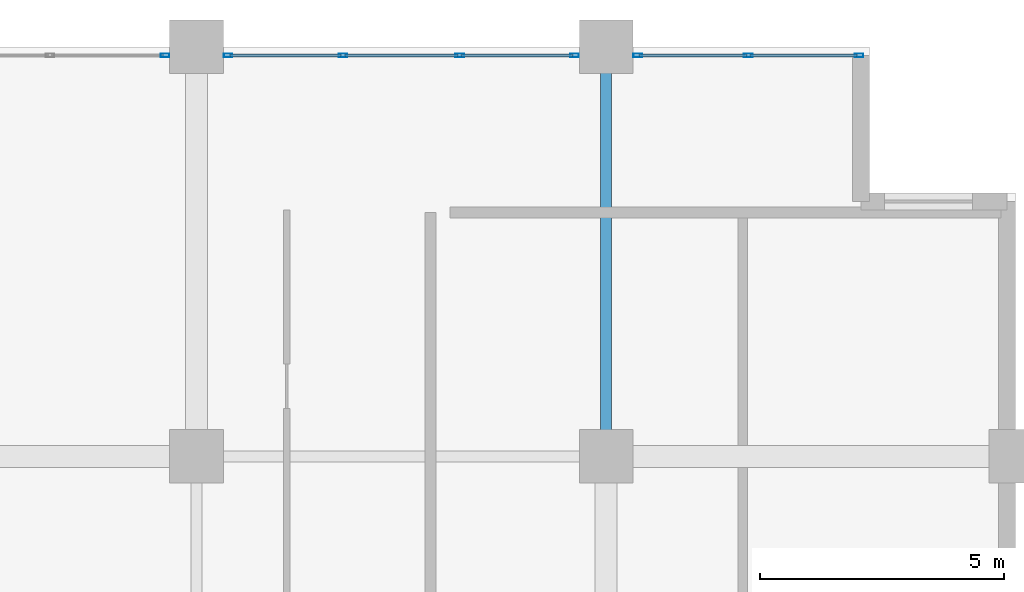
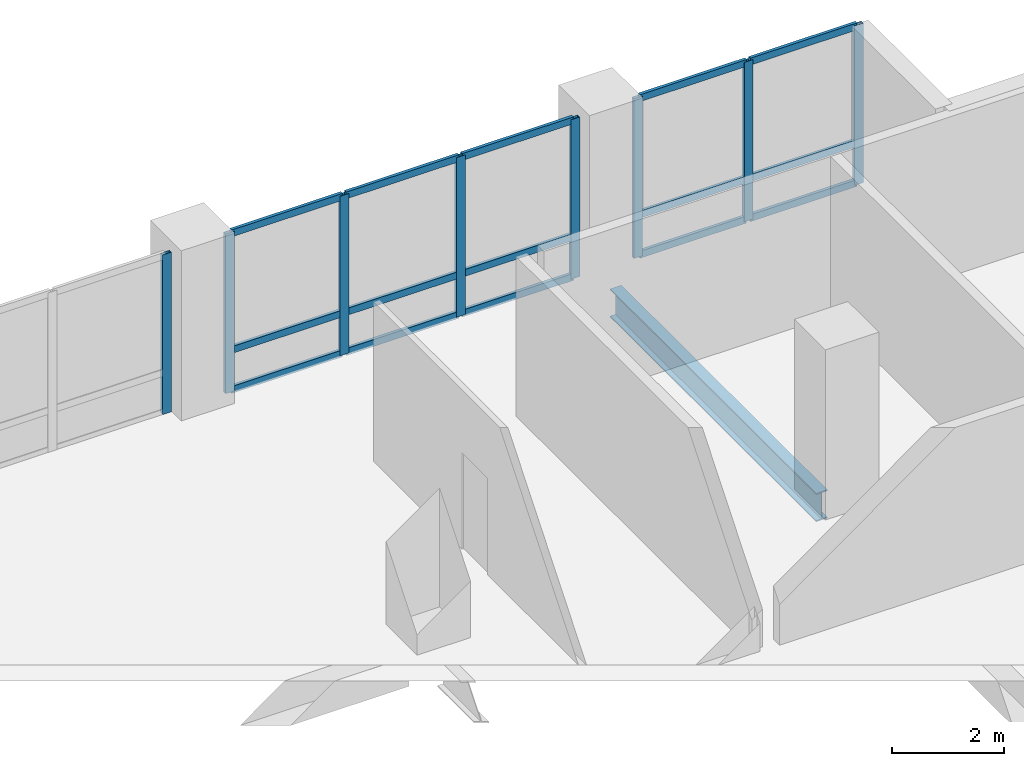
# One storey, part 5 of 18: 23 members, 1 beam, 3 elements without a shape of their own.
"""IFC4 building model written with IfcOpenShell, lengths in metres."""

from ifc_helpers import new_model, si_unit, direction, frame, origin, origin_2d, place, context, subcontext, project, spatial, hollow_rectangle, i_section, extrude, material, layer, layer_set, material_profile, profile_set, type_object, element, aggregate, save


model = new_model("IFC4")

# Units and contexts
model_context = context("Model", 3, precision=1e-05, world=origin(), true_north=direction((0.0, 1.0)))
body_context = subcontext(model_context, "Body", "Model", "MODEL_VIEW")
ifc_project = project(units=[si_unit("LENGTHUNIT", "METRE"), si_unit("AREAUNIT", "SQUARE_METRE"), si_unit("VOLUMEUNIT", "CUBIC_METRE"), si_unit("PLANEANGLEUNIT", "RADIAN"), si_unit("MASSUNIT", "GRAM", prefix="KILO")], contexts=[model_context])

# Site, building, storey
site_placement = place(None, origin())
site = spatial("IfcSite", under=ifc_project, at=site_placement, CompositionType="ELEMENT")
building_placement = place(site_placement, origin())
building = spatial("IfcBuilding", under=site, at=building_placement, Name="Koriwani Terraces Tower", CompositionType="ELEMENT")
storey_placement = place(building_placement, frame((0.0, 0.0, 205.0)))
storey = spatial("IfcBuildingStorey", under=building, at=storey_placement, Name="L50", CompositionType="ELEMENT", Elevation=205.0)

# Curtain wall, member
ifc_material_1 = material(Name="Anodised Bronze Aluminium", Category="aluminium")
ifc_layer = layer(ifc_material_1, 0.169921875, Name="Anodised Bronze Aluminium")
ifc_layer_set = layer_set([ifc_layer], Name="Anodised Bronze Aluminium")
curtain_wall_type = type_object("IfcCurtainWallType", Name="CW_RES_ZONE3", PredefinedType="NOTDEFINED", material=ifc_layer_set)
curtain_wall_1_placement = place(storey_placement, origin())
curtain_wall_1 = element("IfcCurtainWall", 1, at=curtain_wall_1_placement, inside=storey, type_object=curtain_wall_type, Name="L50 Unitised Curtain Wall (N_TIP) Bay 2", PredefinedType="NOTDEFINED")
ifc_material_profile_1 = material_profile(ifc_material_1, hollow_rectangle(XDim=0.074951171875, YDim=0.179931640625, WallThickness=0.006103515625, at=origin_2d()), Name="Anodised Bronze Aluminium", Category="LoadBearing")
ifc_profile_set_1 = profile_set([ifc_material_profile_1], Name="Anodised Bronze Aluminium")
member_type_1 = type_object("IfcMemberType", Name="CW_MULLION_180X75", PredefinedType="MULLION", material=ifc_profile_set_1)
member_1_placement = place(storey_placement, frame((16.152587890625, 75.425048828125, 0.0), z_axis=(0.0, 0.0, 1.0), x_axis=(0.0, 1.0, 0.0)))
member_1 = element("IfcMember", 2, at=member_1_placement, type_object=member_type_1, Name="CW-Z3 mullion 4", PredefinedType="MULLION", context=body_context, shape_type="SweptSolid", body=[
    extrude(hollow_rectangle(XDim=0.074951171875, YDim=0.179931640625, WallThickness=0.006103515625, at=origin_2d()), origin(), (0.0, 0.0, 1.0), 3.469970703125),
])
aggregate(curtain_wall_1, [member_1])

# Curtain wall, members
curtain_wall_2_placement = place(storey_placement, origin())
curtain_wall_2 = element("IfcCurtainWall", 3, at=curtain_wall_2_placement, inside=storey, type_object=curtain_wall_type, Name="L50 Unitised Curtain Wall (N_TIP) Bay 3", PredefinedType="NOTDEFINED")
member_2_placement = place(storey_placement, frame((17.447509765625, 75.425048828125, 0.0), z_axis=(0.0, 0.0, 1.0), x_axis=(0.0, 1.0, 0.0)))
member_2 = element("IfcMember", 4, at=member_2_placement, type_object=member_type_1, Name="CW-Z3 mullion 1", PredefinedType="MULLION", context=body_context, shape_type="SweptSolid", body=[
    extrude(hollow_rectangle(XDim=0.074951171875, YDim=0.179931640625, WallThickness=0.006103515625, at=origin_2d()), origin(), (0.0, 0.0, 1.0), 3.469970703125),
])
member_3_placement = place(storey_placement, frame((19.80322265625, 75.425048828125, 0.0), z_axis=(0.0, 0.0, 1.0), x_axis=(0.0, 1.0, 0.0)))
member_3 = element("IfcMember", 5, at=member_3_placement, type_object=member_type_1, Name="CW-Z3 mullion 2", PredefinedType="MULLION", context=body_context, shape_type="SweptSolid", body=[
    extrude(hollow_rectangle(XDim=0.074951171875, YDim=0.179931640625, WallThickness=0.006103515625, at=origin_2d()), origin(), (0.0, 0.0, 1.0), 3.469970703125),
])
member_4_placement = place(storey_placement, frame((22.19677734375, 75.425048828125, 0.0), z_axis=(0.0, 0.0, 1.0), x_axis=(0.0, 1.0, 0.0)))
member_4 = element("IfcMember", 6, at=member_4_placement, type_object=member_type_1, Name="CW-Z3 mullion 3", PredefinedType="MULLION", context=body_context, shape_type="SweptSolid", body=[
    extrude(hollow_rectangle(XDim=0.074951171875, YDim=0.179931640625, WallThickness=0.006103515625, at=origin_2d()), origin(), (0.0, 0.0, 1.0), 3.469970703125),
])
member_5_placement = place(storey_placement, frame((24.552490234375, 75.425048828125, 0.0), z_axis=(0.0, 0.0, 1.0), x_axis=(0.0, 1.0, 0.0)))
member_5 = element("IfcMember", 7, at=member_5_placement, type_object=member_type_1, Name="CW-Z3 mullion 4", PredefinedType="MULLION", context=body_context, shape_type="SweptSolid", body=[
    extrude(hollow_rectangle(XDim=0.074951171875, YDim=0.179931640625, WallThickness=0.006103515625, at=origin_2d()), origin(), (0.0, 0.0, 1.0), 3.469970703125),
])

curtain_wall_3_placement = place(storey_placement, origin())
curtain_wall_3 = element("IfcCurtainWall", 8, at=curtain_wall_3_placement, inside=storey, type_object=curtain_wall_type, Name="L50 Unitised Curtain Wall (N_TIP) Bay 4", PredefinedType="NOTDEFINED")
member_6_placement = place(storey_placement, frame((25.847412109375, 75.425048828125, 0.0), z_axis=(0.0, 0.0, 1.0), x_axis=(0.0, 1.0, 0.0)))
member_6 = element("IfcMember", 9, at=member_6_placement, type_object=member_type_1, Name="CW-Z3 mullion 1", PredefinedType="MULLION", context=body_context, shape_type="SweptSolid", body=[
    extrude(hollow_rectangle(XDim=0.074951171875, YDim=0.179931640625, WallThickness=0.006103515625, at=origin_2d()), origin(), (0.0, 0.0, 1.0), 3.469970703125),
])
member_7_placement = place(storey_placement, frame((28.117431640625, 75.425048828125, 0.0), z_axis=(0.0, 0.0, 1.0), x_axis=(0.0, 1.0, 0.0)))
member_7 = element("IfcMember", 10, at=member_7_placement, type_object=member_type_1, Name="CW-Z3 mullion 2", PredefinedType="MULLION", context=body_context, shape_type="SweptSolid", body=[
    extrude(hollow_rectangle(XDim=0.074951171875, YDim=0.179931640625, WallThickness=0.006103515625, at=origin_2d()), origin(), (0.0, 0.0, 1.0), 3.469970703125),
])
member_8_placement = place(storey_placement, frame((30.387451171875, 75.425048828125, 0.0), z_axis=(0.0, 0.0, 1.0), x_axis=(0.0, 1.0, 0.0)))
member_8 = element("IfcMember", 11, at=member_8_placement, type_object=member_type_1, Name="CW-Z3 mullion 3", PredefinedType="MULLION", context=body_context, shape_type="SweptSolid", body=[
    extrude(hollow_rectangle(XDim=0.074951171875, YDim=0.179931640625, WallThickness=0.006103515625, at=origin_2d()), origin(), (0.0, 0.0, 1.0), 3.469970703125),
])

# Member
ifc_material_profile_2 = material_profile(ifc_material_1, hollow_rectangle(XDim=0.06494140625, YDim=0.14990234375, WallThickness=0.0048828125, at=origin_2d()), Name="Anodised Bronze Aluminium", Category="LoadBearing")
ifc_profile_set_2 = profile_set([ifc_material_profile_2], Name="Anodised Bronze Aluminium")
member_type_2 = type_object("IfcMemberType", Name="CW_TRANSOM_150X65", PredefinedType="USERDEFINED", material=ifc_profile_set_2)
member_9_placement = place(storey_placement, frame((17.485107421875, 75.425048828125, 0.032470703125), z_axis=(1.0, 0.0, 0.0), x_axis=(0.0, 1.0, 0.0)))
member_9 = element("IfcMember", 12, at=member_9_placement, type_object=member_type_2, Name="CW-Z3 transom 1.1", ObjectType="TRANSOM", PredefinedType="USERDEFINED", context=body_context, shape_type="SweptSolid", body=[
    extrude(hollow_rectangle(XDim=0.06494140625, YDim=0.14990234375, WallThickness=0.0048828125, at=origin_2d()), origin(), (0.0, 0.0, 1.0), 2.28076171875),
])

member_10_placement = place(storey_placement, frame((17.485107421875, 75.425048828125, 0.89990234375), z_axis=(1.0, 0.0, 0.0), x_axis=(0.0, 1.0, 0.0)))
member_10 = element("IfcMember", 13, at=member_10_placement, type_object=member_type_2, Name="CW-Z3 transom 1.2", ObjectType="TRANSOM", PredefinedType="USERDEFINED", context=body_context, shape_type="SweptSolid", body=[
    extrude(hollow_rectangle(XDim=0.06494140625, YDim=0.14990234375, WallThickness=0.0048828125, at=origin_2d()), origin(), (0.0, 0.0, 1.0), 2.28076171875),
])

member_11_placement = place(storey_placement, frame((17.485107421875, 75.425048828125, 3.4375), z_axis=(1.0, 0.0, 0.0), x_axis=(0.0, 1.0, 0.0)))
member_11 = element("IfcMember", 14, at=member_11_placement, type_object=member_type_2, Name="CW-Z3 transom 1.3", ObjectType="TRANSOM", PredefinedType="USERDEFINED", context=body_context, shape_type="SweptSolid", body=[
    extrude(hollow_rectangle(XDim=0.06494140625, YDim=0.14990234375, WallThickness=0.0048828125, at=origin_2d()), origin(), (0.0, 0.0, 1.0), 2.28076171875),
])

member_12_placement = place(storey_placement, frame((19.8408203125, 75.425048828125, 0.032470703125), z_axis=(1.0, 0.0, 0.0), x_axis=(0.0, 1.0, 0.0)))
member_12 = element("IfcMember", 15, at=member_12_placement, type_object=member_type_2, Name="CW-Z3 transom 2.1", ObjectType="TRANSOM", PredefinedType="USERDEFINED", context=body_context, shape_type="SweptSolid", body=[
    extrude(hollow_rectangle(XDim=0.06494140625, YDim=0.14990234375, WallThickness=0.0048828125, at=origin_2d()), origin(), (0.0, 0.0, 1.0), 2.318359375),
])

member_13_placement = place(storey_placement, frame((19.8408203125, 75.425048828125, 0.89990234375), z_axis=(1.0, 0.0, 0.0), x_axis=(0.0, 1.0, 0.0)))
member_13 = element("IfcMember", 16, at=member_13_placement, type_object=member_type_2, Name="CW-Z3 transom 2.2", ObjectType="TRANSOM", PredefinedType="USERDEFINED", context=body_context, shape_type="SweptSolid", body=[
    extrude(hollow_rectangle(XDim=0.06494140625, YDim=0.14990234375, WallThickness=0.0048828125, at=origin_2d()), origin(), (0.0, 0.0, 1.0), 2.318359375),
])

member_14_placement = place(storey_placement, frame((19.8408203125, 75.425048828125, 3.4375), z_axis=(1.0, 0.0, 0.0), x_axis=(0.0, 1.0, 0.0)))
member_14 = element("IfcMember", 17, at=member_14_placement, type_object=member_type_2, Name="CW-Z3 transom 2.3", ObjectType="TRANSOM", PredefinedType="USERDEFINED", context=body_context, shape_type="SweptSolid", body=[
    extrude(hollow_rectangle(XDim=0.06494140625, YDim=0.14990234375, WallThickness=0.0048828125, at=origin_2d()), origin(), (0.0, 0.0, 1.0), 2.318359375),
])

member_15_placement = place(storey_placement, frame((22.234130859375, 75.425048828125, 0.032470703125), z_axis=(1.0, 0.0, 0.0), x_axis=(0.0, 1.0, 0.0)))
member_15 = element("IfcMember", 18, at=member_15_placement, type_object=member_type_2, Name="CW-Z3 transom 3.1", ObjectType="TRANSOM", PredefinedType="USERDEFINED", context=body_context, shape_type="SweptSolid", body=[
    extrude(hollow_rectangle(XDim=0.06494140625, YDim=0.14990234375, WallThickness=0.0048828125, at=origin_2d()), origin(), (0.0, 0.0, 1.0), 2.28076171875),
])

member_16_placement = place(storey_placement, frame((22.234130859375, 75.425048828125, 0.89990234375), z_axis=(1.0, 0.0, 0.0), x_axis=(0.0, 1.0, 0.0)))
member_16 = element("IfcMember", 19, at=member_16_placement, type_object=member_type_2, Name="CW-Z3 transom 3.2", ObjectType="TRANSOM", PredefinedType="USERDEFINED", context=body_context, shape_type="SweptSolid", body=[
    extrude(hollow_rectangle(XDim=0.06494140625, YDim=0.14990234375, WallThickness=0.0048828125, at=origin_2d()), origin(), (0.0, 0.0, 1.0), 2.28076171875),
])

member_17_placement = place(storey_placement, frame((22.234130859375, 75.425048828125, 3.4375), z_axis=(1.0, 0.0, 0.0), x_axis=(0.0, 1.0, 0.0)))
member_17 = element("IfcMember", 20, at=member_17_placement, type_object=member_type_2, Name="CW-Z3 transom 3.3", ObjectType="TRANSOM", PredefinedType="USERDEFINED", context=body_context, shape_type="SweptSolid", body=[
    extrude(hollow_rectangle(XDim=0.06494140625, YDim=0.14990234375, WallThickness=0.0048828125, at=origin_2d()), origin(), (0.0, 0.0, 1.0), 2.28076171875),
])

aggregate(curtain_wall_2, [member_2, member_3, member_4, member_5, member_9, member_10, member_11, member_12, member_13, member_14, member_15, member_16, member_17])

member_18_placement = place(storey_placement, frame((25.885009765625, 75.425048828125, 0.032470703125), z_axis=(1.0, 0.0, 0.0), x_axis=(0.0, 1.0, 0.0)))
member_18 = element("IfcMember", 21, at=member_18_placement, type_object=member_type_2, Name="CW-Z3 transom 1.1", ObjectType="TRANSOM", PredefinedType="USERDEFINED", context=body_context, shape_type="SweptSolid", body=[
    extrude(hollow_rectangle(XDim=0.06494140625, YDim=0.14990234375, WallThickness=0.0048828125, at=origin_2d()), origin(), (0.0, 0.0, 1.0), 2.195068359375),
])

member_19_placement = place(storey_placement, frame((25.885009765625, 75.425048828125, 0.89990234375), z_axis=(1.0, 0.0, 0.0), x_axis=(0.0, 1.0, 0.0)))
member_19 = element("IfcMember", 22, at=member_19_placement, type_object=member_type_2, Name="CW-Z3 transom 1.2", ObjectType="TRANSOM", PredefinedType="USERDEFINED", context=body_context, shape_type="SweptSolid", body=[
    extrude(hollow_rectangle(XDim=0.06494140625, YDim=0.14990234375, WallThickness=0.0048828125, at=origin_2d()), origin(), (0.0, 0.0, 1.0), 2.195068359375),
])

member_20_placement = place(storey_placement, frame((25.885009765625, 75.425048828125, 3.4375), z_axis=(1.0, 0.0, 0.0), x_axis=(0.0, 1.0, 0.0)))
member_20 = element("IfcMember", 23, at=member_20_placement, type_object=member_type_2, Name="CW-Z3 transom 1.3", ObjectType="TRANSOM", PredefinedType="USERDEFINED", context=body_context, shape_type="SweptSolid", body=[
    extrude(hollow_rectangle(XDim=0.06494140625, YDim=0.14990234375, WallThickness=0.0048828125, at=origin_2d()), origin(), (0.0, 0.0, 1.0), 2.195068359375),
])

member_21_placement = place(storey_placement, frame((28.155029296875, 75.425048828125, 0.032470703125), z_axis=(1.0, 0.0, 0.0), x_axis=(0.0, 1.0, 0.0)))
member_21 = element("IfcMember", 24, at=member_21_placement, type_object=member_type_2, Name="CW-Z3 transom 2.1", ObjectType="TRANSOM", PredefinedType="USERDEFINED", context=body_context, shape_type="SweptSolid", body=[
    extrude(hollow_rectangle(XDim=0.06494140625, YDim=0.14990234375, WallThickness=0.0048828125, at=origin_2d()), origin(), (0.0, 0.0, 1.0), 2.195068359375),
])

member_22_placement = place(storey_placement, frame((28.155029296875, 75.425048828125, 0.89990234375), z_axis=(1.0, 0.0, 0.0), x_axis=(0.0, 1.0, 0.0)))
member_22 = element("IfcMember", 25, at=member_22_placement, type_object=member_type_2, Name="CW-Z3 transom 2.2", ObjectType="TRANSOM", PredefinedType="USERDEFINED", context=body_context, shape_type="SweptSolid", body=[
    extrude(hollow_rectangle(XDim=0.06494140625, YDim=0.14990234375, WallThickness=0.0048828125, at=origin_2d()), origin(), (0.0, 0.0, 1.0), 2.195068359375),
])

member_23_placement = place(storey_placement, frame((28.155029296875, 75.425048828125, 3.4375), z_axis=(1.0, 0.0, 0.0), x_axis=(0.0, 1.0, 0.0)))
member_23 = element("IfcMember", 26, at=member_23_placement, type_object=member_type_2, Name="CW-Z3 transom 2.3", ObjectType="TRANSOM", PredefinedType="USERDEFINED", context=body_context, shape_type="SweptSolid", body=[
    extrude(hollow_rectangle(XDim=0.06494140625, YDim=0.14990234375, WallThickness=0.0048828125, at=origin_2d()), origin(), (0.0, 0.0, 1.0), 2.195068359375),
])

aggregate(curtain_wall_3, [member_6, member_7, member_8, member_18, member_19, member_20, member_21, member_22, member_23])

# Beam
ifc_material_2 = material(Name="Steel ASTM A572 Grade 50", Category="steel")
ifc_material_profile_3 = material_profile(ifc_material_2, i_section(OverallWidth=0.23095703125, OverallDepth=0.616943359375, WebThickness=0.015380859375, FlangeThickness=0.0244140625, at=origin_2d()), Name="Steel ASTM A572 Grade 50", Category="LoadBearing")
ifc_profile_set_3 = profile_set([ifc_material_profile_3], Name="Steel ASTM A572 Grade 50")
beam_type = type_object("IfcBeamType", Name="STEEL_BEAM_W610X195", PredefinedType="BEAM", material=ifc_profile_set_3)
beam_placement = place(storey_placement, frame((25.199951171875, 67.72998046875, -0.53857421875), z_axis=(0.0, 1.0, 0.0), x_axis=(-1.0, 0.0, 0.0)))
element("IfcBeam", 27, at=beam_placement, inside=storey, type_object=beam_type, Name="L50 Grid Beam 4 (67.2-75.6m)", PredefinedType="BEAM", context=body_context, shape_type="SweptSolid", body=[
    extrude(i_section(OverallWidth=0.23095703125, OverallDepth=0.616943359375, WebThickness=0.015380859375, FlangeThickness=0.0244140625, at=origin_2d()), origin(), (0.0, 0.0, 1.0), 7.340087890625),
])

save(model, "model.ifc")
